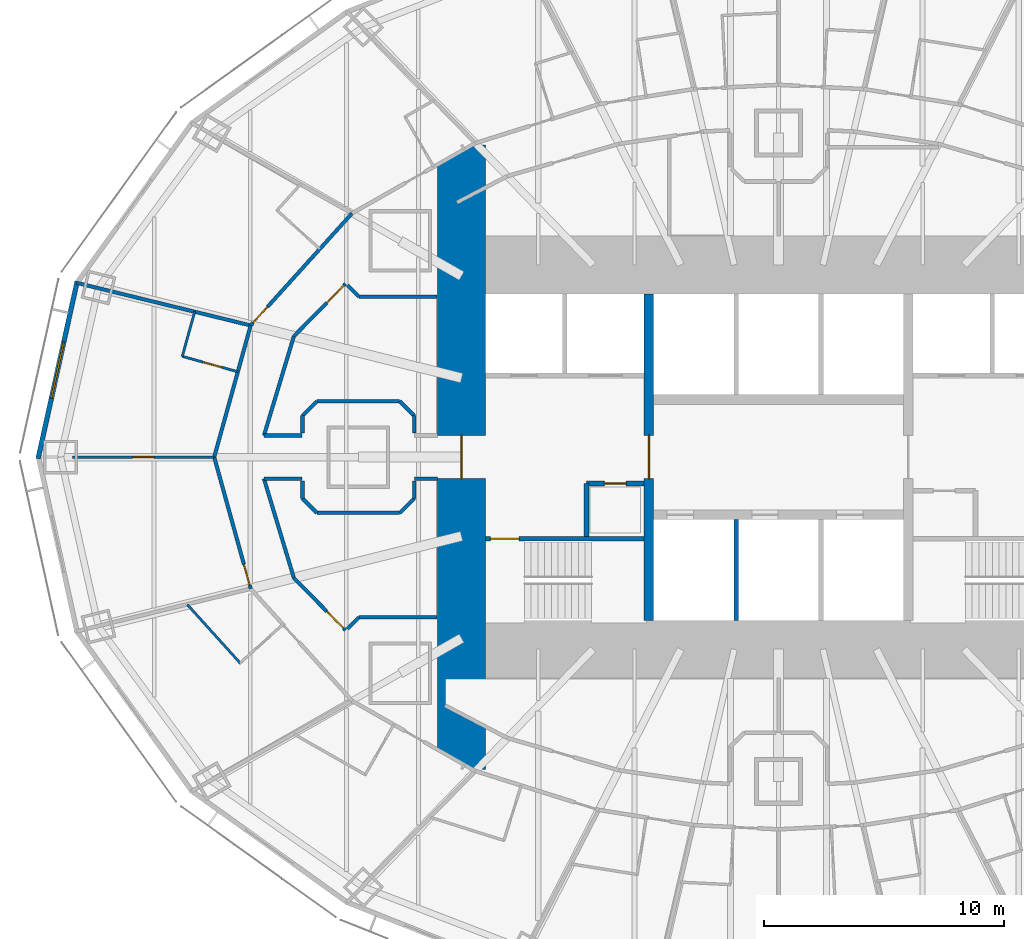
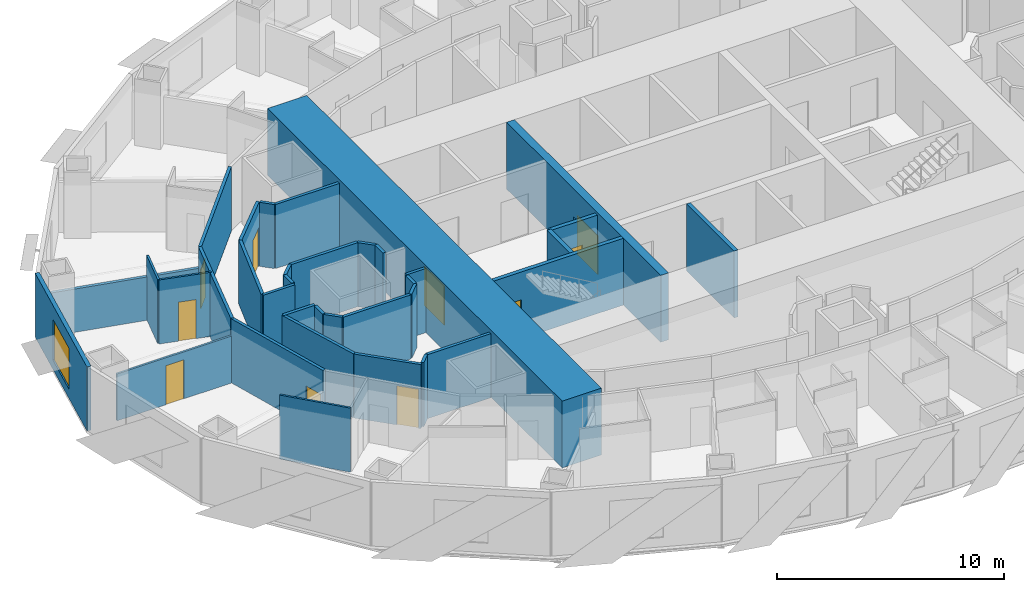
# One storey, part 6 of 17: 36 walls, 10 doors, 1 window, 11 openings.
"""IFC4 building model written with IfcOpenShell, lengths in metres."""

from ifc_helpers import new_model, si_unit, direction, frame, frame_2d, origin, place, context, subcontext, project, spatial, rectangle, extrude, material, layer, layer_set, type_object, element, fill, save


model = new_model("IFC4")

# Units and contexts
model_context = context("Model", 3, precision=1e-05, world=origin(), true_north=direction((0.0, 1.0)))
body_context = subcontext(model_context, "Body", "Model", "MODEL_VIEW")
ifc_project = project(units=[si_unit("LENGTHUNIT", "METRE"), si_unit("AREAUNIT", "SQUARE_METRE"), si_unit("VOLUMEUNIT", "CUBIC_METRE"), si_unit("PLANEANGLEUNIT", "RADIAN"), si_unit("MASSUNIT", "GRAM", prefix="KILO")], contexts=[model_context])

# Site, building, storey
site_placement = place(None, origin())
site = spatial("IfcSite", under=ifc_project, at=site_placement, CompositionType="ELEMENT")
building_placement = place(site_placement, origin())
building = spatial("IfcBuilding", under=site, at=building_placement, Name="Lantaw Convention Tower", CompositionType="ELEMENT")
storey_placement = place(building_placement, frame((0.0, 0.0, 40.60009765625)))
storey = spatial("IfcBuildingStorey", under=building, at=storey_placement, Name="L07", CompositionType="ELEMENT", Elevation=40.60009765625)

# Wall, opening, door
ifc_material_1 = material(Name="Moisture resistant gypsum board on steel studs", Category="steel")
ifc_layer_1 = layer(ifc_material_1, 0.10009765625)
ifc_layer_set_1 = layer_set([ifc_layer_1], Name="Bathroom wall 100")
wall_type_1 = type_object("IfcWallType", Name="Bathroom wall 100", PredefinedType="PARTITIONING", material=ifc_layer_set_1)
wall_1_placement = place(storey_placement, frame((-22.515869140625, 3.55322265625, 0.0), z_axis=(0.0, 0.0, 1.0), x_axis=(-0.963711502417, 0.266945949788, 0.0)))
wall_1 = element("IfcWall", 1, at=wall_1_placement, inside=storey, type_object=wall_type_1, Name="Bathroom wall 100", PredefinedType="PARTITIONING", context=body_context, shape_type="SweptSolid", body=[
    extrude(rectangle(XDim=2.39990234375, YDim=0.10009765625, at=frame_2d((1.199951171875, 0.0))), origin(), (0.0, 0.0, 1.0), 3.449951171875),
])
opening_1_placement = place(wall_1_placement, frame((0.699951171875, 0.0, 0.0)))
opening_1 = element("IfcOpeningElement", 2, at=opening_1_placement, cuts=wall_1, Name="Opening L07.47", PredefinedType="OPENING", context=body_context, shape_type="SweptSolid", body=[
    extrude(rectangle(XDim=0.800048828125, YDim=2.10009765625, at=frame_2d((0.39990234375, 1.050048828125))), frame((0.0, 0.06005859375, 0.0), z_axis=(0.0, -1.0, 0.0), x_axis=(1.0, 0.0, 0.0)), (0.0, 0.0, 1.0), 0.1201171875),
])
ifc_material_2 = material(Name="Timber", Category="wood")
door_type_1 = type_object("IfcDoorType", Name="Bathroom door 800", OperationType="SINGLE_SWING_LEFT", PredefinedType="DOOR", material=ifc_material_2)
door_1_placement = place(opening_1_placement, origin())
door_1 = element("IfcDoor", 3, at=door_1_placement, inside=storey, type_object=door_type_1, Name="Bathroom door", OperationType="SINGLE_SWING_LEFT", OverallHeight=2.10009765625, OverallWidth=0.800048828125, PredefinedType="DOOR", context=body_context, shape_type="SweptSolid", body=[
    extrude(rectangle(XDim=0.800048828125, YDim=2.10009765625, at=frame_2d((0.39990234375, 1.050048828125))), frame((0.0, 0.02490234375, 0.0), z_axis=(0.0, -1.0, 0.0), x_axis=(1.0, 0.0, 0.0)), (0.0, 0.0, 1.0), 0.050048828125),
])
fill(opening_1, door_1)

# Walls
wall_2_placement = place(storey_placement, frame((-24.82861328125, 4.19384765625, 0.0), z_axis=(0.0, 0.0, 1.0), x_axis=(0.266942084007, 0.963712573222, 0.0)))
element("IfcWall", 4, at=wall_2_placement, inside=storey, type_object=wall_type_1, Name="Bathroom wall 100", PredefinedType="PARTITIONING", context=body_context, shape_type="SweptSolid", body=[
    extrude(rectangle(XDim=1.93798828125, YDim=0.10009765625, at=frame_2d((0.968994140625, 0.0))), origin(), (0.0, 0.0, 1.0), 3.449951171875),
])
wall_3_placement = place(storey_placement, frame((-22.421142578125, -8.57373046875, 0.0), z_axis=(0.0, 0.0, 1.0), x_axis=(-0.670578246017, 0.741838807268, 0.0)))
element("IfcWall", 5, at=wall_3_placement, inside=storey, type_object=wall_type_1, Name="Bathroom wall 100", PredefinedType="PARTITIONING", context=body_context, shape_type="SweptSolid", body=[
    extrude(rectangle(XDim=3.2822265625, YDim=0.10009765625, at=frame_2d((1.64111328125, 0.0))), origin(), (0.0, 0.0, 1.0), 3.449951171875),
])

# Wall, opening, door
ifc_material_3 = material(Name="Concrete C60/75", Category="concrete")
ifc_layer_2 = layer(ifc_material_3, 0.199951171875)
ifc_layer_set_2 = layer_set([ifc_layer_2], Name="Core wall 200")
wall_type_2 = type_object("IfcWallType", Name="Core wall 200", PredefinedType="SHEAR", material=ifc_layer_set_2)
wall_4_placement = place(storey_placement, frame((-5.60009765625, -3.39990234375, 0.0), z_axis=(0.0, 0.0, 1.0), x_axis=(-1.0, 0.0, 0.0)))
wall_4 = element("IfcWall", 6, at=wall_4_placement, inside=storey, type_object=wall_type_2, Name="Core wall WS", PredefinedType="SHEAR", context=body_context, shape_type="SweptSolid", body=[
    extrude(rectangle(XDim=6.599853515625, YDim=0.199951171875, at=frame_2d((3.2998046875, 0.0))), origin(), (0.0, 0.0, 1.0), 3.599853515625),
])
opening_2_placement = place(wall_4_placement, frame((5.199951171875, 0.0, 0.0)))
opening_2 = element("IfcOpeningElement", 7, at=opening_2_placement, cuts=wall_4, Name="Opening L07.06", PredefinedType="OPENING", context=body_context, shape_type="SweptSolid", body=[
    extrude(rectangle(XDim=1.199951171875, YDim=2.10009765625, at=frame_2d((0.60009765625, 1.050048828125))), frame((0.0, 0.10986328125, 0.0), z_axis=(0.0, -1.0, 0.0), x_axis=(1.0, 0.0, 0.0)), (0.0, 0.0, 1.0), 0.219970703125),
])
ifc_material_4 = material(Name="Steel, fire rated", Category="steel")
door_type_2 = type_object("IfcDoorType", Name="Stair door FD90", OperationType="SINGLE_SWING_RIGHT", PredefinedType="DOOR", material=ifc_material_4)
door_2_placement = place(opening_2_placement, origin())
door_2 = element("IfcDoor", 8, at=door_2_placement, inside=storey, type_object=door_type_2, Name="Exit stair door", OperationType="SINGLE_SWING_RIGHT", OverallHeight=2.10009765625, OverallWidth=1.199951171875, PredefinedType="DOOR", context=body_context, shape_type="SweptSolid", body=[
    extrude(rectangle(XDim=1.199951171875, YDim=2.10009765625, at=frame_2d((0.60009765625, 1.050048828125))), frame((0.0, 0.02490234375, 0.0), z_axis=(0.0, -1.0, 0.0), x_axis=(1.0, 0.0, 0.0)), (0.0, 0.0, 1.0), 0.050048828125),
])
fill(opening_2, door_2)

ifc_layer_3 = layer(ifc_material_3, 2.0)
ifc_layer_set_3 = layer_set([ifc_layer_3], Name="Core wall 2000")
wall_type_3 = type_object("IfcWallType", Name="Core wall 2000", PredefinedType="SHEAR", material=ifc_layer_set_3)
wall_5_placement = place(storey_placement, frame((-13.199951171875, 13.0, 0.0), z_axis=(0.0, 0.0, 1.0), x_axis=(0.0, -1.0, 0.0)))
wall_5 = element("IfcWall", 9, at=wall_5_placement, inside=storey, type_object=wall_type_3, Name="Core wall W", PredefinedType="SHEAR", context=body_context, shape_type="SweptSolid", body=[
    extrude(rectangle(XDim=26.0, YDim=2.0, at=frame_2d((13.0, 0.0))), origin(), (0.0, 0.0, 1.0), 3.599853515625),
])
opening_3_placement = place(wall_5_placement, frame((12.10009765625, 0.0, 0.0)))
opening_3 = element("IfcOpeningElement", 10, at=opening_3_placement, cuts=wall_5, Name="Opening L07.08", PredefinedType="OPENING", context=body_context, shape_type="SweptSolid", body=[
    extrude(rectangle(XDim=1.800048828125, YDim=2.10009765625, at=frame_2d((0.89990234375, 1.050048828125))), frame((0.0, 1.010009765625, 0.0), z_axis=(0.0, -1.0, 0.0), x_axis=(1.0, 0.0, 0.0)), (0.0, 0.0, 1.0), 2.02001953125),
])
door_type_3 = type_object("IfcDoorType", Name="Lobby double door FD90", OperationType="DOUBLE_DOOR_DOUBLE_SWING", PredefinedType="DOOR", material=ifc_material_4)
door_3_placement = place(opening_3_placement, origin())
door_3 = element("IfcDoor", 11, at=door_3_placement, inside=storey, type_object=door_type_3, Name="Firefighting lobby door", OperationType="DOUBLE_DOOR_DOUBLE_SWING", OverallHeight=2.10009765625, OverallWidth=1.800048828125, PredefinedType="DOOR", context=body_context, shape_type="SweptSolid", body=[
    extrude(rectangle(XDim=1.800048828125, YDim=2.10009765625, at=frame_2d((0.89990234375, 1.050048828125))), frame((0.0, 0.02490234375, 0.0), z_axis=(0.0, -1.0, 0.0), x_axis=(1.0, 0.0, 0.0)), (0.0, 0.0, 1.0), 0.050048828125),
])
fill(opening_3, door_3)

ifc_layer_4 = layer(ifc_material_3, 0.39990234375)
ifc_layer_set_4 = layer_set([ifc_layer_4], Name="Core wall 400")
wall_type_4 = type_object("IfcWallType", Name="Core wall 400", PredefinedType="SHEAR", material=ifc_layer_set_4)
wall_6_placement = place(storey_placement, frame((-5.39990234375, 6.800048828125, 0.0), z_axis=(0.0, 0.0, 1.0), x_axis=(0.0, -1.0, 0.0)))
wall_6 = element("IfcWall", 12, at=wall_6_placement, inside=storey, type_object=wall_type_4, Name="Core wall XW", PredefinedType="SHEAR", context=body_context, shape_type="SweptSolid", body=[
    extrude(rectangle(XDim=13.60009765625, YDim=0.39990234375, at=frame_2d((6.800048828125, 0.0))), origin(), (0.0, 0.0, 1.0), 3.599853515625),
])
opening_4_placement = place(wall_6_placement, frame((5.89990234375, 0.0, 0.0)))
opening_4 = element("IfcOpeningElement", 13, at=opening_4_placement, cuts=wall_6, Name="Opening L07.04", PredefinedType="OPENING", context=body_context, shape_type="SweptSolid", body=[
    extrude(rectangle(XDim=1.800048828125, YDim=2.10009765625, at=frame_2d((0.89990234375, 1.050048828125))), frame((0.0, 0.2099609375, 0.0), z_axis=(0.0, -1.0, 0.0), x_axis=(1.0, 0.0, 0.0)), (0.0, 0.0, 1.0), 0.419921875),
])
door_4_placement = place(opening_4_placement, origin())
door_4 = element("IfcDoor", 14, at=door_4_placement, inside=storey, type_object=door_type_3, Name="Lift lobby door", OperationType="DOUBLE_DOOR_DOUBLE_SWING", OverallHeight=2.10009765625, OverallWidth=1.800048828125, PredefinedType="DOOR", context=body_context, shape_type="SweptSolid", body=[
    extrude(rectangle(XDim=1.800048828125, YDim=2.10009765625, at=frame_2d((0.89990234375, 1.050048828125))), frame((0.0, 0.02490234375, 0.0), z_axis=(0.0, -1.0, 0.0), x_axis=(1.0, 0.0, 0.0)), (0.0, 0.0, 1.0), 0.050048828125),
])
fill(opening_4, door_4)

ifc_material_5 = material(Name="Gypsum board on steel studs, fire rated", Category="steel")
ifc_layer_5 = layer(ifc_material_5, 0.14990234375)
ifc_layer_set_5 = layer_set([ifc_layer_5], Name="Corridor wall 150 EI 60")
wall_type_5 = type_object("IfcWallType", Name="Corridor wall 150 EI 60", PredefinedType="PARTITIONING", material=ifc_layer_set_5)
wall_7_placement = place(storey_placement, frame((-17.761474609375, 10.1494140625, 0.0), z_axis=(0.0, 0.0, 1.0), x_axis=(-0.670598380282, -0.741820606591, 0.0)))
wall_7 = element("IfcWall", 15, at=wall_7_placement, inside=storey, type_object=wall_type_5, Name="Corridor wall 150", PredefinedType="PARTITIONING", context=body_context, shape_type="SweptSolid", body=[
    extrude(rectangle(XDim=6.29345703125, YDim=0.14990234375, at=frame_2d((3.146728515625, 0.0))), origin(), (0.0, 0.0, 1.0), 3.449951171875),
])
opening_5_placement = place(wall_7_placement, frame((5.24365234375, 0.0, 0.0)))
opening_5 = element("IfcOpeningElement", 16, at=opening_5_placement, cuts=wall_7, Name="Opening L07.46", PredefinedType="OPENING", context=body_context, shape_type="SweptSolid", body=[
    extrude(rectangle(XDim=0.89990234375, YDim=2.10009765625, at=frame_2d((0.449951171875, 1.050048828125))), frame((0.0, 0.0849609375, 0.0), z_axis=(0.0, -1.0, 0.0), x_axis=(1.0, 0.0, 0.0)), (0.0, 0.0, 1.0), 0.169921875),
])
door_type_4 = type_object("IfcDoorType", Name="Guest room entrance door FD30S", OperationType="SINGLE_SWING_LEFT", PredefinedType="DOOR", material=ifc_material_4)
door_5_placement = place(opening_5_placement, origin())
door_5 = element("IfcDoor", 17, at=door_5_placement, inside=storey, type_object=door_type_4, Name="Guest room entrance door", OperationType="SINGLE_SWING_LEFT", OverallHeight=2.10009765625, OverallWidth=0.89990234375, PredefinedType="DOOR", context=body_context, shape_type="SweptSolid", body=[
    extrude(rectangle(XDim=0.89990234375, YDim=2.10009765625, at=frame_2d((0.449951171875, 1.050048828125))), frame((0.0, 0.02490234375, 0.0), z_axis=(0.0, -1.0, 0.0), x_axis=(1.0, 0.0, 0.0)), (0.0, 0.0, 1.0), 0.050048828125),
])
fill(opening_5, door_5)

# Wall
wall_8_placement = place(storey_placement, frame((-21.98193359375, 5.480712890625, 0.0), z_axis=(0.0, 0.0, 1.0), x_axis=(-0.266933062421, -0.963715072097, 0.0)))
element("IfcWall", 18, at=wall_8_placement, inside=storey, type_object=wall_type_5, Name="Corridor wall 150", PredefinedType="PARTITIONING", context=body_context, shape_type="SweptSolid", body=[
    extrude(rectangle(XDim=5.68701171875, YDim=0.14990234375, at=frame_2d((2.843505859375, 0.0))), origin(), (0.0, 0.0, 1.0), 3.449951171875),
])

# Wall, opening, door
wall_9_placement = place(storey_placement, frame((-23.5, 0.0, 0.0), z_axis=(0.0, 0.0, 1.0), x_axis=(0.266933062421, -0.963715072097, 0.0)))
wall_9 = element("IfcWall", 19, at=wall_9_placement, inside=storey, type_object=wall_type_5, Name="Corridor wall 150", PredefinedType="PARTITIONING", context=body_context, shape_type="SweptSolid", body=[
    extrude(rectangle(XDim=5.68701171875, YDim=0.14990234375, at=frame_2d((2.843505859375, 0.0))), origin(), (0.0, 0.0, 1.0), 3.449951171875),
])
opening_6_placement = place(wall_9_placement, frame((4.63720703125, 0.0, 0.0)))
opening_6 = element("IfcOpeningElement", 20, at=opening_6_placement, cuts=wall_9, Name="Opening L07.49", PredefinedType="OPENING", context=body_context, shape_type="SweptSolid", body=[
    extrude(rectangle(XDim=0.89990234375, YDim=2.10009765625, at=frame_2d((0.449951171875, 1.050048828125))), frame((0.0, 0.0849609375, 0.0), z_axis=(0.0, -1.0, 0.0), x_axis=(1.0, 0.0, 0.0)), (0.0, 0.0, 1.0), 0.169921875),
])
door_6_placement = place(opening_6_placement, origin())
door_6 = element("IfcDoor", 21, at=door_6_placement, inside=storey, type_object=door_type_4, Name="Suite entrance door", OperationType="SINGLE_SWING_LEFT", OverallHeight=2.10009765625, OverallWidth=0.89990234375, PredefinedType="DOOR", context=body_context, shape_type="SweptSolid", body=[
    extrude(rectangle(XDim=0.89990234375, YDim=2.10009765625, at=frame_2d((0.449951171875, 1.050048828125))), frame((0.0, 0.02490234375, 0.0), z_axis=(0.0, -1.0, 0.0), x_axis=(1.0, 0.0, 0.0)), (0.0, 0.0, 1.0), 0.050048828125),
])
fill(opening_6, door_6)

# Walls
for number, where, z_axis, x_axis, name in (
    (22, (-20.18310546875, 5.0322265625, 0.0), (0.0, 0.0, 1.0), (-0.288603524054, -0.957448696225, 0.0), "Corridor wall 150"),
    (23, (-21.4287109375, -0.89990234375, 0.0), (0.0, 0.0, 1.0), (0.288603524054, -0.957448696225, 0.0), "Corridor wall 150"),
):
    element("IfcWall", number, at=place(storey_placement, frame(where, z_axis=z_axis, x_axis=x_axis)), inside=storey, type_object=wall_type_5, Name=name, PredefinedType="PARTITIONING", context=body_context, shape_type="SweptSolid", body=[
        extrude(rectangle(XDim=4.31591796875, YDim=0.14990234375, at=frame_2d((2.157958984375, 0.0))), origin(), (0.0, 0.0, 1.0), 3.449951171875),
    ])
wall_10_placement = place(storey_placement, frame((-14.199951171875, -0.89990234375, 0.0), z_axis=(0.0, 0.0, 1.0), x_axis=(-1.0, 0.0, 0.0)))
element("IfcWall", 24, at=wall_10_placement, inside=storey, type_object=wall_type_5, Name="Corridor wall 150", PredefinedType="PARTITIONING", context=body_context, shape_type="SweptSolid", body=[
    extrude(rectangle(XDim=0.965087890625, YDim=0.14990234375, at=frame_2d((0.482421875, 0.0))), origin(), (0.0, 0.0, 1.0), 3.449951171875),
])
for number, where, z_axis, x_axis, name in (
    (25, (-19.8349609375, -0.89990234375, 0.0), (0.0, 0.0, 1.0), (-1.0, 0.0, 0.0), "Corridor wall 150"),
    (26, (-19.8349609375, 0.89990234375, 0.0), (0.0, 0.0, 1.0), (-1.0, 0.0, 0.0), "Corridor wall 150"),
):
    element("IfcWall", number, at=place(storey_placement, frame(where, z_axis=z_axis, x_axis=x_axis)), inside=storey, type_object=wall_type_5, Name=name, PredefinedType="PARTITIONING", context=body_context, shape_type="SweptSolid", body=[
        extrude(rectangle(XDim=1.59375, YDim=0.14990234375, at=frame_2d((0.796875, 0.0))), origin(), (0.0, 0.0, 1.0), 3.449951171875),
    ])
wall_11_placement = place(storey_placement, frame((-19.824951171875, 1.003173828125, 0.0), z_axis=(0.0, 0.0, 1.0), x_axis=(0.0, 1.0, 0.0)))
element("IfcWall", 27, at=wall_11_placement, inside=storey, type_object=wall_type_5, Name="Corridor wall 150", PredefinedType="PARTITIONING", context=body_context, shape_type="SweptSolid", body=[
    extrude(rectangle(XDim=0.721435546875, YDim=0.14990234375, at=frame_2d((0.36083984375, 0.0))), origin(), (0.0, 0.0, 1.0), 3.449951171875),
])
wall_12_placement = place(storey_placement, frame((-19.824951171875, 1.724609375, 0.0), z_axis=(0.0, 0.0, 1.0), x_axis=(0.707106781187, 0.707106781187, 0.0)))
element("IfcWall", 28, at=wall_12_placement, inside=storey, type_object=wall_type_5, Name="Corridor wall 150", PredefinedType="PARTITIONING", context=body_context, shape_type="SweptSolid", body=[
    extrude(rectangle(XDim=0.84912109375, YDim=0.14990234375, at=frame_2d((0.424560546875, 0.0))), origin(), (0.0, 0.0, 1.0), 3.449951171875),
])
wall_13_placement = place(storey_placement, frame((-19.224609375, 2.324951171875, 0.0), z_axis=(0.0, 0.0, 1.0), x_axis=(1.0, 0.0, 0.0)))
element("IfcWall", 29, at=wall_13_placement, inside=storey, type_object=wall_type_5, Name="Corridor wall 150", PredefinedType="PARTITIONING", context=body_context, shape_type="SweptSolid", body=[
    extrude(rectangle(XDim=3.44921875, YDim=0.14990234375, at=frame_2d((1.724609375, 0.0))), origin(), (0.0, 0.0, 1.0), 3.449951171875),
])
wall_14_placement = place(storey_placement, frame((-15.775390625, 2.324951171875, 0.0), z_axis=(0.0, 0.0, 1.0), x_axis=(0.707106781187, -0.707106781187, 0.0)))
element("IfcWall", 30, at=wall_14_placement, inside=storey, type_object=wall_type_5, Name="Corridor wall 150", PredefinedType="PARTITIONING", context=body_context, shape_type="SweptSolid", body=[
    extrude(rectangle(XDim=0.84912109375, YDim=0.14990234375, at=frame_2d((0.424560546875, 0.0))), origin(), (0.0, 0.0, 1.0), 3.449951171875),
])
for number, where, z_axis, x_axis, name in (
    (31, (-15.175048828125, 1.724609375, 0.0), (0.0, 0.0, 1.0), (0.0, -1.0, 0.0), "Corridor wall 150"),
    (32, (-19.824951171875, -1.724609375, 0.0), (0.0, 0.0, 1.0), (0.0, 1.0, 0.0), "Corridor wall 150"),
    (33, (-15.175048828125, -1.003173828125, 0.0), (0.0, 0.0, 1.0), (0.0, -1.0, 0.0), "Corridor wall 150"),
):
    element("IfcWall", number, at=place(storey_placement, frame(where, z_axis=z_axis, x_axis=x_axis)), inside=storey, type_object=wall_type_5, Name=name, PredefinedType="PARTITIONING", context=body_context, shape_type="SweptSolid", body=[
        extrude(rectangle(XDim=0.721435546875, YDim=0.14990234375, at=frame_2d((0.36083984375, 0.0))), origin(), (0.0, 0.0, 1.0), 3.449951171875),
    ])
wall_15_placement = place(storey_placement, frame((-15.175048828125, -1.724609375, 0.0), z_axis=(0.0, 0.0, 1.0), x_axis=(-0.707106781187, -0.707106781187, 0.0)))
element("IfcWall", 34, at=wall_15_placement, inside=storey, type_object=wall_type_5, Name="Corridor wall 150", PredefinedType="PARTITIONING", context=body_context, shape_type="SweptSolid", body=[
    extrude(rectangle(XDim=0.84912109375, YDim=0.14990234375, at=frame_2d((0.424560546875, 0.0))), origin(), (0.0, 0.0, 1.0), 3.449951171875),
])
wall_16_placement = place(storey_placement, frame((-15.775390625, -2.324951171875, 0.0), z_axis=(0.0, 0.0, 1.0), x_axis=(-1.0, 0.0, 0.0)))
element("IfcWall", 35, at=wall_16_placement, inside=storey, type_object=wall_type_5, Name="Corridor wall 150", PredefinedType="PARTITIONING", context=body_context, shape_type="SweptSolid", body=[
    extrude(rectangle(XDim=3.44921875, YDim=0.14990234375, at=frame_2d((1.724609375, 0.0))), origin(), (0.0, 0.0, 1.0), 3.449951171875),
])
wall_17_placement = place(storey_placement, frame((-19.224609375, -2.324951171875, 0.0), z_axis=(0.0, 0.0, 1.0), x_axis=(-0.707106781187, 0.707106781187, 0.0)))
element("IfcWall", 36, at=wall_17_placement, inside=storey, type_object=wall_type_5, Name="Corridor wall 150", PredefinedType="PARTITIONING", context=body_context, shape_type="SweptSolid", body=[
    extrude(rectangle(XDim=0.84912109375, YDim=0.14990234375, at=frame_2d((0.424560546875, 0.0))), origin(), (0.0, 0.0, 1.0), 3.449951171875),
])

# Wall, opening, door
wall_18_placement = place(storey_placement, frame((-20.18310546875, -5.0322265625, 0.0), z_axis=(0.0, 0.0, 1.0), x_axis=(0.701392176983, -0.712775570616, 0.0)))
wall_18 = element("IfcWall", 37, at=wall_18_placement, inside=storey, type_object=wall_type_5, Name="Corridor wall 150", PredefinedType="PARTITIONING", context=body_context, shape_type="SweptSolid", body=[
    extrude(rectangle(XDim=3.06689453125, YDim=0.14990234375, at=frame_2d((1.533447265625, 0.0))), origin(), (0.0, 0.0, 1.0), 3.449951171875),
])
opening_7_placement = place(wall_18_placement, frame((1.949951171875, 0.0, 0.0)))
opening_7 = element("IfcOpeningElement", 38, at=opening_7_placement, cuts=wall_18, Name="Opening L07.22", PredefinedType="OPENING", context=body_context, shape_type="SweptSolid", body=[
    extrude(rectangle(XDim=1.0, YDim=2.10009765625, at=frame_2d((0.5, 1.050048828125))), frame((0.0, 0.0849609375, 0.0), z_axis=(0.0, -1.0, 0.0), x_axis=(1.0, 0.0, 0.0)), (0.0, 0.0, 1.0), 0.169921875),
])
door_type_5 = type_object("IfcDoorType", Name="Service door 1000 FD30", OperationType="SINGLE_SWING_LEFT", PredefinedType="DOOR", material=ifc_material_4)
door_7_placement = place(opening_7_placement, origin())
door_7 = element("IfcDoor", 39, at=door_7_placement, inside=storey, type_object=door_type_5, Name="Staff room door", OperationType="SINGLE_SWING_LEFT", OverallHeight=2.10009765625, OverallWidth=1.0, PredefinedType="DOOR", context=body_context, shape_type="SweptSolid", body=[
    extrude(rectangle(XDim=1.0, YDim=2.10009765625, at=frame_2d((0.5, 1.050048828125))), frame((0.0, 0.02490234375, 0.0), z_axis=(0.0, -1.0, 0.0), x_axis=(1.0, 0.0, 0.0)), (0.0, 0.0, 1.0), 0.050048828125),
])
fill(opening_7, door_7)

# Walls
wall_19_placement = place(storey_placement, frame((-17.951904296875, -7.15234375, 0.0), z_axis=(0.0, 0.0, 1.0), x_axis=(0.707106781187, 0.707106781187, 0.0)))
element("IfcWall", 40, at=wall_19_placement, inside=storey, type_object=wall_type_5, Name="Corridor wall 150", PredefinedType="PARTITIONING", context=body_context, shape_type="SweptSolid", body=[
    extrude(rectangle(XDim=0.675048828125, YDim=0.14990234375, at=frame_2d((0.33740234375, 0.0))), origin(), (0.0, 0.0, 1.0), 3.449951171875),
])
wall_20_placement = place(storey_placement, frame((-17.474609375, -6.675048828125, 0.0), z_axis=(0.0, 0.0, 1.0), x_axis=(1.0, 0.0, 0.0)))
element("IfcWall", 41, at=wall_20_placement, inside=storey, type_object=wall_type_5, Name="Corridor wall 150", PredefinedType="PARTITIONING", context=body_context, shape_type="SweptSolid", body=[
    extrude(rectangle(XDim=3.24462890625, YDim=0.14990234375, at=frame_2d((1.622314453125, 0.0))), origin(), (0.0, 0.0, 1.0), 3.449951171875),
])

# Wall, opening, door
wall_21_placement = place(storey_placement, frame((-18.031982421875, 7.21826171875, 0.0), z_axis=(0.0, 0.0, 1.0), x_axis=(-0.701392176983, -0.712775570616, 0.0)))
wall_21 = element("IfcWall", 42, at=wall_21_placement, inside=storey, type_object=wall_type_5, Name="Corridor wall 150", PredefinedType="PARTITIONING", context=body_context, shape_type="SweptSolid", body=[
    extrude(rectangle(XDim=3.06689453125, YDim=0.14990234375, at=frame_2d((1.533447265625, 0.0))), origin(), (0.0, 0.0, 1.0), 3.449951171875),
])
opening_8_placement = place(wall_21_placement, frame((0.10009765625, 0.0, 0.0)))
opening_8 = element("IfcOpeningElement", 43, at=opening_8_placement, cuts=wall_21, Name="Opening L07.20", PredefinedType="OPENING", context=body_context, shape_type="SweptSolid", body=[
    extrude(rectangle(XDim=1.0, YDim=2.10009765625, at=frame_2d((0.5, 1.050048828125))), frame((0.0, 0.0849609375, 0.0), z_axis=(0.0, -1.0, 0.0), x_axis=(1.0, 0.0, 0.0)), (0.0, 0.0, 1.0), 0.169921875),
])
door_8_placement = place(opening_8_placement, origin())
door_8 = element("IfcDoor", 44, at=door_8_placement, inside=storey, type_object=door_type_5, Name="Housekeeping room door", OperationType="SINGLE_SWING_LEFT", OverallHeight=2.10009765625, OverallWidth=1.0, PredefinedType="DOOR", context=body_context, shape_type="SweptSolid", body=[
    extrude(rectangle(XDim=1.0, YDim=2.10009765625, at=frame_2d((0.5, 1.050048828125))), frame((0.0, 0.02490234375, 0.0), z_axis=(0.0, -1.0, 0.0), x_axis=(1.0, 0.0, 0.0)), (0.0, 0.0, 1.0), 0.050048828125),
])
fill(opening_8, door_8)

# Walls
wall_22_placement = place(storey_placement, frame((-14.22998046875, 6.675048828125, 0.0), z_axis=(0.0, 0.0, 1.0), x_axis=(-1.0, 0.0, 0.0)))
element("IfcWall", 45, at=wall_22_placement, inside=storey, type_object=wall_type_5, Name="Corridor wall 150", PredefinedType="PARTITIONING", context=body_context, shape_type="SweptSolid", body=[
    extrude(rectangle(XDim=3.24462890625, YDim=0.14990234375, at=frame_2d((1.622314453125, 0.0))), origin(), (0.0, 0.0, 1.0), 3.449951171875),
])
wall_23_placement = place(storey_placement, frame((-17.474609375, 6.675048828125, 0.0), z_axis=(0.0, 0.0, 1.0), x_axis=(-0.707106781187, 0.707106781187, 0.0)))
element("IfcWall", 46, at=wall_23_placement, inside=storey, type_object=wall_type_5, Name="Corridor wall 150", PredefinedType="PARTITIONING", context=body_context, shape_type="SweptSolid", body=[
    extrude(rectangle(XDim=0.675048828125, YDim=0.14990234375, at=frame_2d((0.33740234375, 0.0))), origin(), (0.0, 0.0, 1.0), 3.449951171875),
])

# Wall, opening, window
ifc_material_6 = material(Name="Insulated aluminium panel on steel frame", Category="steel")
ifc_layer_6 = layer(ifc_material_6, 0.199951171875)
ifc_layer_set_6 = layer_set([ifc_layer_6], Name="External wall 200")
wall_type_6 = type_object("IfcWallType", Name="External wall 200", PredefinedType="SOLIDWALL", material=ifc_layer_set_6)
wall_24_placement = place(storey_placement, frame((-29.207763671875, 7.318115234375, 0.0), z_axis=(0.0, 0.0, 1.0), x_axis=(-0.215238065514, -0.976561608478, 0.0)))
wall_24 = element("IfcWall", 47, at=wall_24_placement, inside=storey, type_object=wall_type_6, Name="Facade panel wall", PredefinedType="SOLIDWALL", context=body_context, shape_type="SweptSolid", body=[
    extrude(rectangle(XDim=7.562255859375, YDim=0.199951171875, at=frame_2d((3.78125, 0.0))), origin(), (0.0, 0.0, 1.0), 3.449951171875),
])
opening_9_placement = place(wall_24_placement, frame((2.581298828125, 0.0, 0.5)))
opening_9 = element("IfcOpeningElement", 48, at=opening_9_placement, cuts=wall_24, Name="Opening W1", PredefinedType="OPENING", context=body_context, shape_type="SweptSolid", body=[
    extrude(rectangle(XDim=2.39990234375, YDim=2.199951171875, at=frame_2d((1.199951171875, 1.10009765625))), frame((0.0, 0.10986328125, 0.0), z_axis=(0.0, -1.0, 0.0), x_axis=(1.0, 0.0, 0.0)), (0.0, 0.0, 1.0), 0.219970703125),
])
ifc_material_7 = material(Name="Aluminium frame, clear insulating glass", Category="aluminium")
window_type = type_object("IfcWindowType", Name="Guest room window 2400x2200", PartitioningType="SINGLE_PANEL", PredefinedType="WINDOW", material=ifc_material_7)
window_placement = place(opening_9_placement, origin())
window = element("IfcWindow", 49, at=window_placement, inside=storey, type_object=window_type, Name="Guest room window", OverallHeight=2.199951171875, OverallWidth=2.39990234375, PartitioningType="SINGLE_PANEL", PredefinedType="WINDOW", context=body_context, shape_type="SweptSolid", body=[
    extrude(rectangle(XDim=2.39990234375, YDim=2.199951171875, at=frame_2d((1.199951171875, 1.10009765625))), frame((0.0, 0.030029296875, 0.0), z_axis=(0.0, -1.0, 0.0), x_axis=(1.0, 0.0, 0.0)), (0.0, 0.0, 1.0), 0.06005859375),
])
fill(opening_9, window)

# Wall
ifc_material_8 = material(Name="Gypsum board on steel studs, acoustic", Category="steel")
ifc_layer_7 = layer(ifc_material_8, 0.14990234375)
ifc_layer_set_7 = layer_set([ifc_layer_7], Name="Guest room party wall 150")
wall_type_7 = type_object("IfcWallType", Name="Guest room party wall 150", PredefinedType="PARTITIONING", material=ifc_layer_set_7)
wall_25_placement = place(storey_placement, frame((-29.221923828125, 7.253662109375, 0.0), z_axis=(0.0, 0.0, 1.0), x_axis=(0.97130070913, -0.237854855832, 0.0)))
element("IfcWall", 50, at=wall_25_placement, inside=storey, type_object=wall_type_7, Name="Guest room party wall 150", PredefinedType="PARTITIONING", context=body_context, shape_type="SweptSolid", body=[
    extrude(rectangle(XDim=7.453857421875, YDim=0.14990234375, at=frame_2d((3.72705078125, 0.0))), origin(), (0.0, 0.0, 1.0), 2.332275390625),
])

# Wall, opening, door
ifc_material_9 = material(Name="Concrete blockwork, fire rated", Category="masonry")
ifc_layer_8 = layer(ifc_material_9, 0.199951171875)
ifc_layer_set_8 = layer_set([ifc_layer_8], Name="Plant room wall 200 EI 120")
wall_type_8 = type_object("IfcWallType", Name="Plant room wall 200 EI 120", PredefinedType="SOLIDWALL", material=ifc_layer_set_8)
wall_26_placement = place(storey_placement, frame((-5.60009765625, -1.10009765625, 0.0), z_axis=(0.0, 0.0, 1.0), x_axis=(-1.0, 0.0, 0.0)))
wall_26 = element("IfcWall", 51, at=wall_26_placement, inside=storey, type_object=wall_type_8, Name="Plant room wall 200", PredefinedType="SOLIDWALL", context=body_context, shape_type="SweptSolid", body=[
    extrude(rectangle(XDim=2.39990234375, YDim=0.199951171875, at=frame_2d((1.199951171875, 0.0))), origin(), (0.0, 0.0, 1.0), 3.449951171875),
])
opening_10_placement = place(wall_26_placement, frame((0.75, 0.0, 0.0)))
opening_10 = element("IfcOpeningElement", 52, at=opening_10_placement, cuts=wall_26, Name="Opening L07.01", PredefinedType="OPENING", context=body_context, shape_type="SweptSolid", body=[
    extrude(rectangle(XDim=0.89990234375, YDim=2.10009765625, at=frame_2d((0.449951171875, 1.050048828125))), frame((0.0, 0.10986328125, 0.0), z_axis=(0.0, -1.0, 0.0), x_axis=(1.0, 0.0, 0.0)), (0.0, 0.0, 1.0), 0.219970703125),
])
door_type_6 = type_object("IfcDoorType", Name="Service door 900 FD60", OperationType="SINGLE_SWING_LEFT", PredefinedType="DOOR", material=ifc_material_4)
door_9_placement = place(opening_10_placement, origin())
door_9 = element("IfcDoor", 53, at=door_9_placement, inside=storey, type_object=door_type_6, Name="Housekeeping pantry door", OperationType="SINGLE_SWING_LEFT", OverallHeight=2.10009765625, OverallWidth=0.89990234375, PredefinedType="DOOR", context=body_context, shape_type="SweptSolid", body=[
    extrude(rectangle(XDim=0.89990234375, YDim=2.10009765625, at=frame_2d((0.449951171875, 1.050048828125))), frame((0.0, 0.02490234375, 0.0), z_axis=(0.0, -1.0, 0.0), x_axis=(1.0, 0.0, 0.0)), (0.0, 0.0, 1.0), 0.050048828125),
])
fill(opening_10, door_9)

# Walls
wall_27_placement = place(storey_placement, frame((-8.0, -1.10009765625, 0.0), z_axis=(0.0, 0.0, 1.0), x_axis=(0.0, -1.0, 0.0)))
element("IfcWall", 54, at=wall_27_placement, inside=storey, type_object=wall_type_8, Name="Plant room wall 200", PredefinedType="SOLIDWALL", context=body_context, shape_type="SweptSolid", body=[
    extrude(rectangle(XDim=2.199951171875, YDim=0.199951171875, at=frame_2d((1.10009765625, 0.0))), origin(), (0.0, 0.0, 1.0), 3.449951171875),
])
ifc_layer_9 = layer(ifc_material_9, 0.199951171875)
ifc_layer_set_9 = layer_set([ifc_layer_9], Name="Shaft wall 200 load-bearing")
wall_type_9 = type_object("IfcWallType", Name="Shaft wall 200 load-bearing", PredefinedType="SOLIDWALL", material=ifc_layer_set_9)
wall_28_placement = place(storey_placement, frame((-1.7666015625, -2.60009765625, 0.0), z_axis=(0.0, 0.0, 1.0), x_axis=(0.0, -1.0, 0.0)))
element("IfcWall", 55, at=wall_28_placement, inside=storey, type_object=wall_type_9, Name="Shaft wall DS1", PredefinedType="SOLIDWALL", context=body_context, shape_type="SweptSolid", body=[
    extrude(rectangle(XDim=4.199951171875, YDim=0.199951171875, at=frame_2d((2.10009765625, 0.0))), origin(), (0.0, 0.0, 1.0), 3.599853515625),
])

# Wall, opening, door
ifc_material_10 = material(Name="Gypsum board on steel studs", Category="steel")
ifc_layer_10 = layer(ifc_material_10, 0.10009765625)
ifc_layer_set_10 = layer_set([ifc_layer_10], Name="Suite partition 100")
wall_type_10 = type_object("IfcWallType", Name="Suite partition 100", PredefinedType="PARTITIONING", material=ifc_layer_set_10)
wall_29_placement = place(storey_placement, frame((-29.39990234375, 0.0, 0.0), z_axis=(0.0, 0.0, 1.0), x_axis=(1.0, 0.0, 0.0)))
wall_29 = element("IfcWall", 56, at=wall_29_placement, inside=storey, type_object=wall_type_10, Name="Suite partition 100", PredefinedType="PARTITIONING", context=body_context, shape_type="SweptSolid", body=[
    extrude(rectangle(XDim=5.89990234375, YDim=0.10009765625, at=frame_2d((2.949951171875, 0.0))), origin(), (0.0, 0.0, 1.0), 2.52783203125),
])
opening_11_placement = place(wall_29_placement, frame((2.5, 0.0, 0.0)))
opening_11 = element("IfcOpeningElement", 57, at=opening_11_placement, cuts=wall_29, Name="Opening L07.48", PredefinedType="OPENING", context=body_context, shape_type="SweptSolid", body=[
    extrude(rectangle(XDim=0.89990234375, YDim=2.10009765625, at=frame_2d((0.449951171875, 1.050048828125))), frame((0.0, 0.06005859375, 0.0), z_axis=(0.0, -1.0, 0.0), x_axis=(1.0, 0.0, 0.0)), (0.0, 0.0, 1.0), 0.1201171875),
])
door_type_7 = type_object("IfcDoorType", Name="Suite door 900", OperationType="SINGLE_SWING_LEFT", PredefinedType="DOOR", material=ifc_material_2)
door_10_placement = place(opening_11_placement, origin())
door_10 = element("IfcDoor", 58, at=door_10_placement, inside=storey, type_object=door_type_7, Name="Bedroom door", OperationType="SINGLE_SWING_LEFT", OverallHeight=2.10009765625, OverallWidth=0.89990234375, PredefinedType="DOOR", context=body_context, shape_type="SweptSolid", body=[
    extrude(rectangle(XDim=0.89990234375, YDim=2.10009765625, at=frame_2d((0.449951171875, 1.050048828125))), frame((0.0, 0.02490234375, 0.0), z_axis=(0.0, -1.0, 0.0), x_axis=(1.0, 0.0, 0.0)), (0.0, 0.0, 1.0), 0.050048828125),
])
fill(opening_11, door_10)

save(model, "model.ifc")
